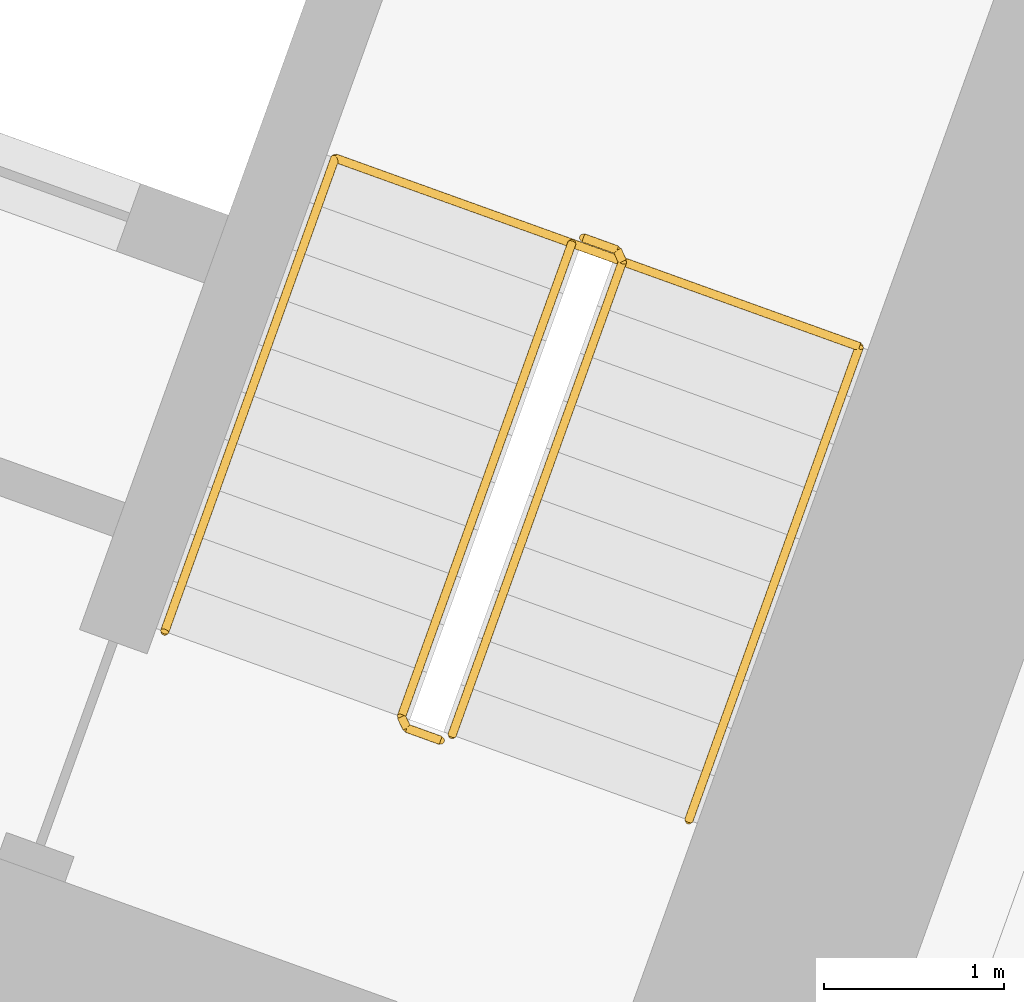
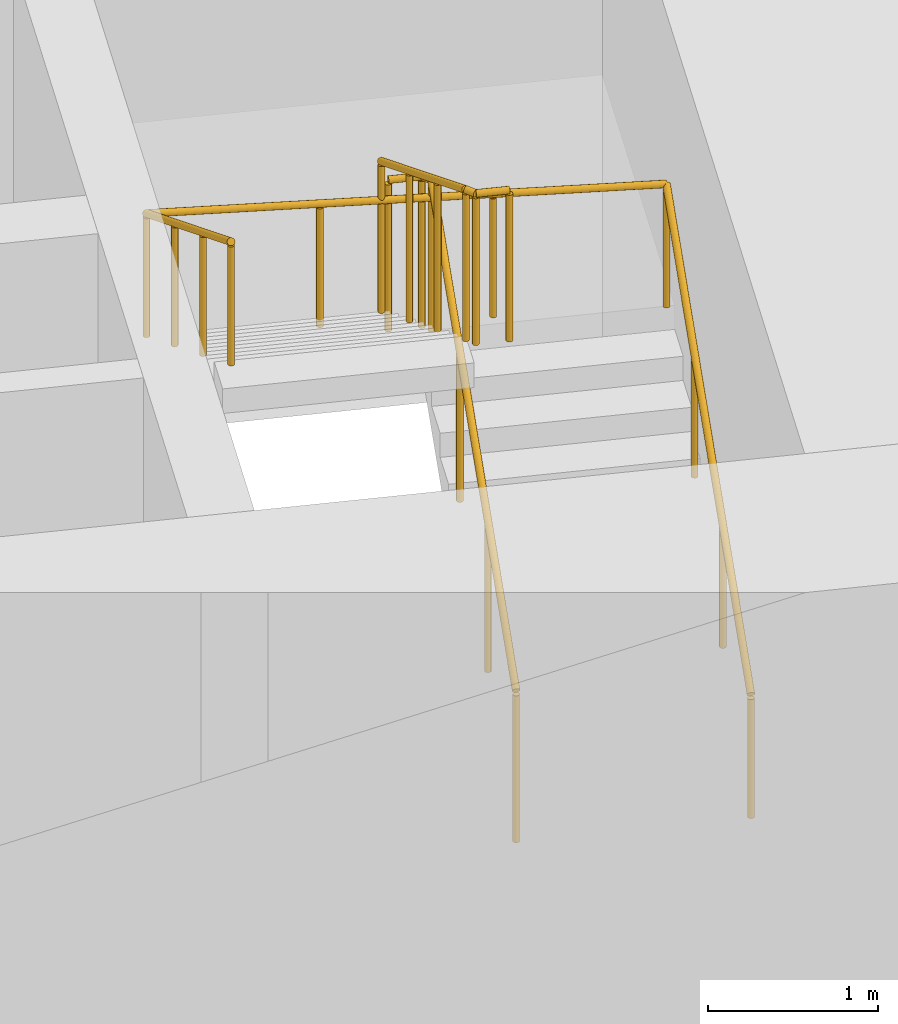
# One storey, part 20 of 20: 3 railings.
"""IFC4 building model written with IfcOpenShell, lengths in metres."""

from ifc_helpers import new_model, si_unit, direction, frame, origin, origin_2d, place, context, subcontext, project, spatial, circle, extrude, material, type_object, element, save


model = new_model("IFC4")

# Units and contexts
model_context = context("Model", 3, precision=1e-05, world=origin(), true_north=direction((0.0, 1.0)))
body_context = subcontext(model_context, "Body", "Model", "MODEL_VIEW")
ifc_project = project(units=[si_unit("LENGTHUNIT", "METRE"), si_unit("AREAUNIT", "SQUARE_METRE"), si_unit("VOLUMEUNIT", "CUBIC_METRE"), si_unit("PLANEANGLEUNIT", "RADIAN"), si_unit("MASSUNIT", "GRAM", prefix="KILO")], contexts=[model_context])

# Site, building, storey
site_placement = place(None, origin())
site = spatial("IfcSite", under=ifc_project, at=site_placement, CompositionType="ELEMENT")
building_placement = place(site_placement, origin())
building = spatial("IfcBuilding", under=site, at=building_placement, Name="Stone Belt Terrace Tower", CompositionType="ELEMENT")
storey_placement = place(building_placement, frame((0.0, 0.0, 185.800048828125)))
storey = spatial("IfcBuildingStorey", under=building, at=storey_placement, Name="L45", CompositionType="ELEMENT", Elevation=185.800048828125)

# Railings
ifc_material = material(Name="Structural steel C345", Category="steel")
railing_type_1 = type_object("IfcRailingType", Name="Stair guard 1100", PredefinedType="GUARDRAIL", material=ifc_material)
railing_1_placement = place(storey_placement, frame((24.494140625, 45.174560546875, 0.172607421875)))
element("IfcRailing", 1, at=railing_1_placement, inside=storey, type_object=railing_type_1, Name="L45 ST1B stair guard 1", PredefinedType="GUARDRAIL", context=body_context, shape_type="SweptSolid", body=[
    extrude(circle(Radius=0.02392578125, at=origin_2d()), frame((0.0, 0.0, 1.076171875), z_axis=(0.288228637646, 0.800791768495, 0.525030280985), x_axis=(-0.940908529223, 0.338660803216, 0.0)), (0.0, 0.0, 1.0), 3.289794921875),
    extrude(circle(Radius=0.02392578125, at=origin_2d()), frame((0.9482421875, 2.634521484375, 2.80322265625), z_axis=(-0.424964916, 0.905209821074, 0.0), x_axis=(-0.905209821074, -0.424964916, 0.0)), (0.0, 0.0, 1.0), 0.070556640625),
    extrude(circle(Radius=0.02392578125, at=origin_2d()), frame((0.918212890625, 2.698486328125, 2.80322265625), z_axis=(-0.941105063269, 0.338114270461, 0.0), x_axis=(-0.338114270461, -0.941105063269, 0.0)), (0.0, 0.0, 1.0), 0.199951171875),
    extrude(circle(Radius=0.02099609375, at=origin_2d()), origin(), (0.0, 0.0, 1.0), 1.052001953125),
    extrude(circle(Radius=0.02099609375, at=origin_2d()), frame((0.316162109375, 0.878173828125, 0.57568359375)), (0.0, 0.0, 1.0), 1.052001953125),
    extrude(circle(Radius=0.02099609375, at=origin_2d()), frame((0.632080078125, 1.75634765625, 1.151611328125)), (0.0, 0.0, 1.0), 1.052001953125),
    extrude(circle(Radius=0.02099609375, at=origin_2d()), frame((0.9482421875, 2.634521484375, 1.727294921875)), (0.0, 0.0, 1.0), 1.052001953125),
    extrude(circle(Radius=0.02099609375, at=origin_2d()), frame((0.918212890625, 2.698486328125, 1.727294921875)), (0.0, 0.0, 1.0), 1.052001953125),
    extrude(circle(Radius=0.02099609375, at=origin_2d()), frame((0.72998046875, 2.76611328125, 1.727294921875)), (0.0, 0.0, 1.0), 1.052001953125),
])
railing_2_placement = place(storey_placement, frame((25.16015625, 47.91064453125, 2.07275390625)))
element("IfcRailing", 2, at=railing_2_placement, inside=storey, type_object=railing_type_1, Name="L45 ST1B stair guard 2", PredefinedType="GUARDRAIL", context=body_context, shape_type="SweptSolid", body=[
    extrude(circle(Radius=0.02392578125, at=origin_2d()), frame((0.0, 0.0, 1.076171875), z_axis=(-0.288228637646, -0.800791768495, 0.525030280985), x_axis=(0.940908529223, -0.338660803216, 0.0)), (0.0, 0.0, 1.0), 3.289794921875),
    extrude(circle(Radius=0.02392578125, at=origin_2d()), frame((-0.9482421875, -2.634521484375, 2.80322265625), z_axis=(0.427789722475, -0.903878284585, 0.0), x_axis=(0.903878284585, 0.427789722475, 0.0)), (0.0, 0.0, 1.0), 0.07080078125),
    extrude(circle(Radius=0.02392578125, at=origin_2d()), frame((-0.91796875, -2.698486328125, 2.80322265625), z_axis=(0.940575576748, -0.339584429008, 0.0), x_axis=(0.339584429008, 0.940575576748, 0.0)), (0.0, 0.0, 1.0), 0.199951171875),
    extrude(circle(Radius=0.02099609375, at=origin_2d()), origin(), (0.0, 0.0, 1.0), 1.052001953125),
    extrude(circle(Radius=0.02099609375, at=origin_2d()), frame((-0.316162109375, -0.878173828125, 0.57568359375)), (0.0, 0.0, 1.0), 1.052001953125),
    extrude(circle(Radius=0.02099609375, at=origin_2d()), frame((-0.632080078125, -1.75634765625, 1.151611328125)), (0.0, 0.0, 1.0), 1.052001953125),
    extrude(circle(Radius=0.02099609375, at=origin_2d()), frame((-0.9482421875, -2.634521484375, 1.727294921875)), (0.0, 0.0, 1.0), 1.052001953125),
    extrude(circle(Radius=0.02099609375, at=origin_2d()), frame((-0.91796875, -2.698486328125, 1.727294921875)), (0.0, 0.0, 1.0), 1.052001953125),
    extrude(circle(Radius=0.02099609375, at=origin_2d()), frame((-0.72998046875, -2.766357421875, 1.727294921875)), (0.0, 0.0, 1.0), 1.052001953125),
])
railing_type_2 = type_object("IfcRailingType", Name="Stair handrail 900", PredefinedType="HANDRAIL", material=ifc_material)
railing_3_placement = place(storey_placement, frame((25.8115234375, 44.700439453125, 0.172607421875)))
element("IfcRailing", 3, at=railing_3_placement, inside=storey, type_object=railing_type_2, Name="L45 ST1B stair handrail 1", PredefinedType="HANDRAIL", context=body_context, shape_type="SweptSolid", body=[
    extrude(circle(Radius=0.02392578125, at=origin_2d()), frame((0.0, 0.0, 0.8759765625), z_axis=(0.288228637646, 0.800791768495, 0.525030280985), x_axis=(-0.940908529223, 0.338660803216, 0.0)), (0.0, 0.0, 1.0), 3.289794921875),
    extrude(circle(Radius=0.02392578125, at=origin_2d()), frame((0.9482421875, 2.634521484375, 2.60302734375), z_axis=(-0.939460408074, 0.338105101667, 0.055669398135), x_axis=(-0.338630230244, -0.940919532779, 0.0)), (0.0, 0.0, 1.0), 3.10498046875),
    extrude(circle(Radius=0.02392578125, at=origin_2d()), frame((-1.96875, 3.684326171875, 2.77587890625), z_axis=(-0.288160591223, -0.800808895155, 0.52504150989), x_axis=(0.940936311087, -0.338583606334, 0.0)), (0.0, 0.0, 1.0), 3.289794921875),
    extrude(circle(Radius=0.02099609375, at=origin_2d()), origin(), (0.0, 0.0, 1.0), 0.851806640625),
    extrude(circle(Radius=0.02099609375, at=origin_2d()), frame((0.316162109375, 0.878173828125, 0.57568359375)), (0.0, 0.0, 1.0), 0.851806640625),
    extrude(circle(Radius=0.02099609375, at=origin_2d()), frame((0.632080078125, 1.75634765625, 1.151611328125)), (0.0, 0.0, 1.0), 0.851806640625),
    extrude(circle(Radius=0.02099609375, at=origin_2d()), frame((0.9482421875, 2.634521484375, 1.727294921875)), (0.0, 0.0, 1.0), 0.851806640625),
    extrude(circle(Radius=0.02099609375, at=origin_2d()), frame((-0.024169921875, 2.984375, 1.784912109375)), (0.0, 0.0, 1.0), 0.851806640625),
    extrude(circle(Radius=0.02099609375, at=origin_2d()), frame((-0.996337890625, 3.33447265625, 1.842529296875)), (0.0, 0.0, 1.0), 0.851806640625),
    extrude(circle(Radius=0.02099609375, at=origin_2d()), frame((-1.96875, 3.684326171875, 1.900146484375)), (0.0, 0.0, 1.0), 0.851806640625),
    extrude(circle(Radius=0.02099609375, at=origin_2d()), frame((-2.28466796875, 2.80615234375, 2.475830078125)), (0.0, 0.0, 1.0), 0.851806640625),
    extrude(circle(Radius=0.02099609375, at=origin_2d()), frame((-2.600830078125, 1.927978515625, 3.0517578125)), (0.0, 0.0, 1.0), 0.851806640625),
    extrude(circle(Radius=0.02099609375, at=origin_2d()), frame((-2.916748046875, 1.0498046875, 3.62744140625)), (0.0, 0.0, 1.0), 0.851806640625),
])

save(model, "model.ifc")
